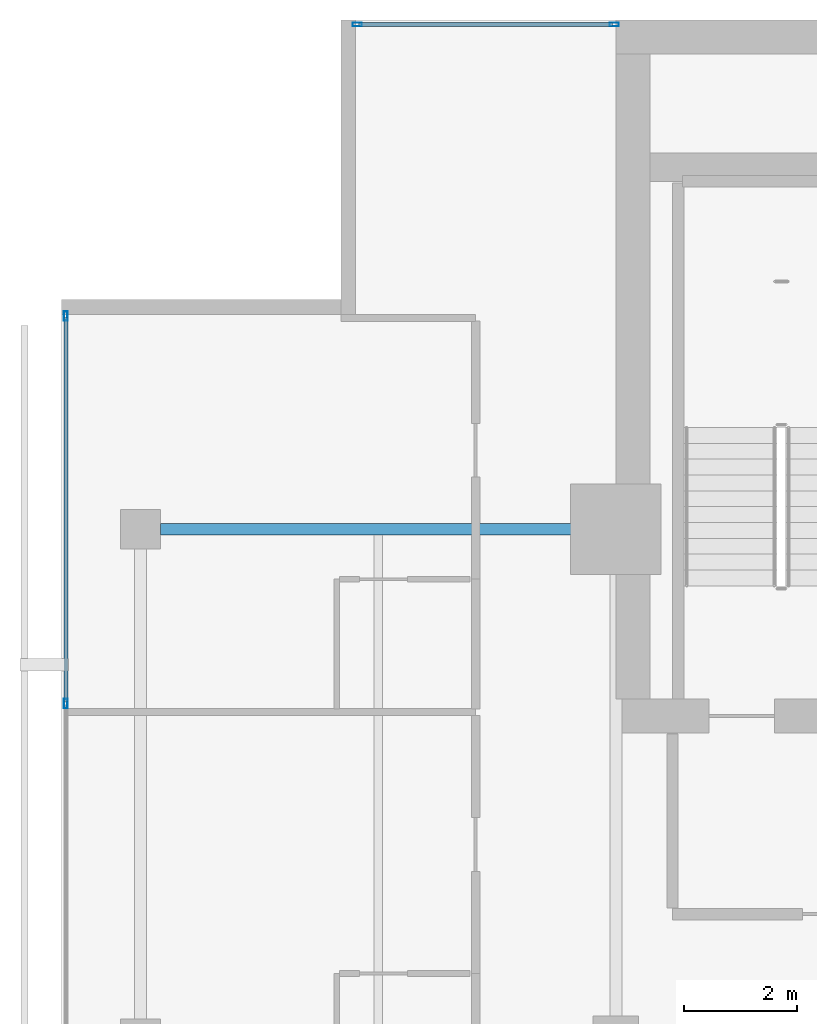
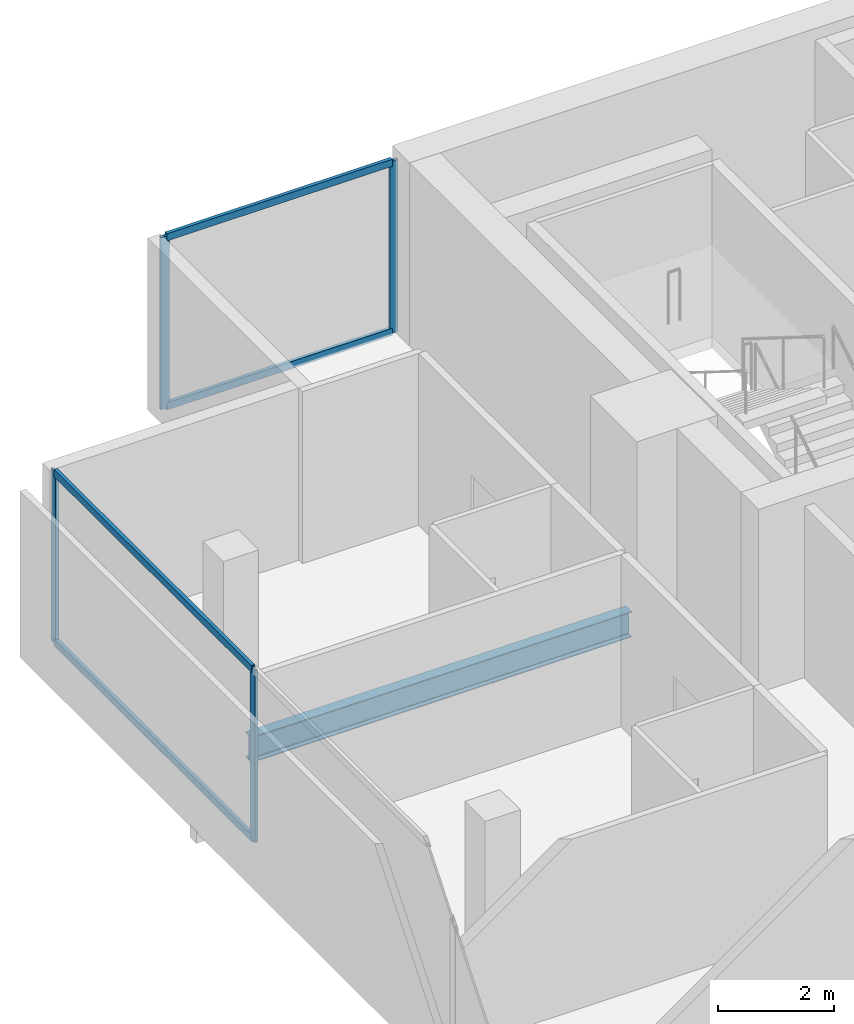
# One storey, part 16 of 26: 8 members, 1 beam, 2 elements without a shape of their own.
"""IFC4 building model written with IfcOpenShell, lengths in metres."""

from ifc_helpers import new_model, si_unit, direction, frame, origin, origin_2d, place, context, subcontext, project, spatial, hollow_rectangle, i_section, extrude, material, layer, layer_set, material_profile, profile_set, type_object, element, aggregate, save


model = new_model("IFC4")

# Units and contexts
model_context = context("Model", 3, precision=1e-05, world=origin(), true_north=direction((0.0, 1.0)))
body_context = subcontext(model_context, "Body", "Model", "MODEL_VIEW")
ifc_project = project(units=[si_unit("LENGTHUNIT", "METRE"), si_unit("AREAUNIT", "SQUARE_METRE"), si_unit("VOLUMEUNIT", "CUBIC_METRE"), si_unit("PLANEANGLEUNIT", "RADIAN"), si_unit("MASSUNIT", "GRAM", prefix="KILO")], contexts=[model_context])

# Site, building, storey
site_placement = place(None, origin())
site = spatial("IfcSite", under=ifc_project, at=site_placement, CompositionType="ELEMENT")
building_placement = place(site_placement, origin())
building = spatial("IfcBuilding", under=site, at=building_placement, Name="Maruvema Waterfront Hotel and Observation Tower", CompositionType="ELEMENT")
storey_placement = place(building_placement, frame((0.0, 0.0, 258.64990234375)))
storey = spatial("IfcBuildingStorey", under=building, at=storey_placement, Name="L63", CompositionType="ELEMENT", Elevation=258.64990234375)

# Curtain wall, members
ifc_material_1 = material(Name="Anodised bronze aluminium and solar-control low-E IGU", Category="aluminium")
ifc_layer = layer(ifc_material_1, 0.159912109375, Name="Zone 3 Champagne Inner Thermal Curtain Wall System CW-04")
ifc_layer_set = layer_set([ifc_layer], Name="Anodised bronze aluminium and solar-control low-E IGU")
curtain_wall_type = type_object("IfcCurtainWallType", Name="Zone 3 Champagne Inner Thermal Curtain Wall System CW-04", PredefinedType="USERDEFINED", material=ifc_layer_set)
curtain_wall_1_placement = place(storey_placement, origin())
curtain_wall_1 = element("IfcCurtainWall", 1, at=curtain_wall_1_placement, inside=storey, type_object=curtain_wall_type, Name="L63 Curtain Wall CW-L63-W", ObjectType="UNITISED CURTAIN WALL", PredefinedType="USERDEFINED")
ifc_material_2 = material(Name="Anodised architectural bronze aluminium", Category="aluminium")
ifc_material_profile_1 = material_profile(ifc_material_2, hollow_rectangle(XDim=0.070068359375, YDim=0.14990234375, WallThickness=0.00390625, at=origin_2d()), Name="ALU-T70x150")
ifc_profile_set_1 = profile_set([ifc_material_profile_1], Name="Anodised architectural bronze aluminium")
member_type_1 = type_object("IfcMemberType", Name="Curtain Wall Horizontal Transom ALU-T70x150", PredefinedType="USERDEFINED", material=ifc_profile_set_1)
member_1_placement = place(storey_placement, frame((15.47998046875, 48.739990234375, 0.030029296875), z_axis=(0.0, -1.0, 0.0), x_axis=(1.0, 0.0, 0.0)))
member_1 = element("IfcMember", 2, at=member_1_placement, type_object=member_type_1, Name="CW-04 transom 1.1", ObjectType="TRANSOM", PredefinedType="USERDEFINED", context=body_context, shape_type="SweptSolid", body=[
    extrude(hollow_rectangle(XDim=0.070068359375, YDim=0.14990234375, WallThickness=0.00390625, at=origin_2d()), origin(), (0.0, 0.0, 1.0), 6.7900390625),
])
member_2_placement = place(storey_placement, frame((15.47998046875, 48.739990234375, 3.580078125), z_axis=(0.0, -1.0, 0.0), x_axis=(1.0, 0.0, 0.0)))
member_2 = element("IfcMember", 3, at=member_2_placement, type_object=member_type_1, Name="CW-04 transom 1.2", ObjectType="TRANSOM", PredefinedType="USERDEFINED", context=body_context, shape_type="SweptSolid", body=[
    extrude(hollow_rectangle(XDim=0.070068359375, YDim=0.14990234375, WallThickness=0.00390625, at=origin_2d()), origin(), (0.0, 0.0, 1.0), 6.7900390625),
])

curtain_wall_2_placement = place(storey_placement, origin())
curtain_wall_2 = element("IfcCurtainWall", 4, at=curtain_wall_2_placement, inside=storey, type_object=curtain_wall_type, Name="L63 Curtain Wall CW-L63-NW", ObjectType="UNITISED CURTAIN WALL", PredefinedType="USERDEFINED")
member_3_placement = place(storey_placement, frame((25.139892578125, 53.919921875, 0.030029296875), z_axis=(-1.0, 0.0, 0.0), x_axis=(0.0, -1.0, 0.0)))
member_3 = element("IfcMember", 5, at=member_3_placement, type_object=member_type_1, Name="CW-04 transom 1.1", ObjectType="TRANSOM", PredefinedType="USERDEFINED", context=body_context, shape_type="SweptSolid", body=[
    extrude(hollow_rectangle(XDim=0.070068359375, YDim=0.14990234375, WallThickness=0.00390625, at=origin_2d()), origin(), (0.0, 0.0, 1.0), 4.47998046875),
])
member_4_placement = place(storey_placement, frame((25.139892578125, 53.919921875, 3.580078125), z_axis=(-1.0, 0.0, 0.0), x_axis=(0.0, -1.0, 0.0)))
member_4 = element("IfcMember", 6, at=member_4_placement, type_object=member_type_1, Name="CW-04 transom 1.2", ObjectType="TRANSOM", PredefinedType="USERDEFINED", context=body_context, shape_type="SweptSolid", body=[
    extrude(hollow_rectangle(XDim=0.070068359375, YDim=0.14990234375, WallThickness=0.00390625, at=origin_2d()), origin(), (0.0, 0.0, 1.0), 4.47998046875),
])

# Member
ifc_material_3 = material(Name="Anodised architectural bronze aluminium", Category="aluminium")
ifc_material_profile_2 = material_profile(ifc_material_3, hollow_rectangle(XDim=0.06494140625, YDim=0.1650390625, WallThickness=0.00390625, at=origin_2d()), Name="ALU-M65x165")
ifc_profile_set_2 = profile_set([ifc_material_profile_2], Name="Anodised architectural bronze aluminium")
member_type_2 = type_object("IfcMemberType", Name="Curtain Wall Primary Mullion ALU-M65x165", PredefinedType="MULLION", material=ifc_profile_set_2)
member_5_placement = place(storey_placement, frame((15.47998046875, 48.77001953125, 0.0), z_axis=(0.0, 0.0, 1.0), x_axis=(1.0, 0.0, 0.0)))
member_5 = element("IfcMember", 7, at=member_5_placement, type_object=member_type_2, Name="CW-04 mullion 1", PredefinedType="MULLION", context=body_context, shape_type="SweptSolid", body=[
    extrude(hollow_rectangle(XDim=0.06494140625, YDim=0.1650390625, WallThickness=0.00390625, at=origin_2d()), origin(), (0.0, 0.0, 1.0), 3.610107421875),
])

member_6_placement = place(storey_placement, frame((15.47998046875, 41.919921875, 0.0), z_axis=(0.0, 0.0, 1.0), x_axis=(1.0, 0.0, 0.0)))
member_6 = element("IfcMember", 8, at=member_6_placement, type_object=member_type_2, Name="CW-04 mullion 2", PredefinedType="MULLION", context=body_context, shape_type="SweptSolid", body=[
    extrude(hollow_rectangle(XDim=0.06494140625, YDim=0.1650390625, WallThickness=0.00390625, at=origin_2d()), origin(), (0.0, 0.0, 1.0), 3.610107421875),
])

aggregate(curtain_wall_1, [member_5, member_6, member_1, member_2])

member_7_placement = place(storey_placement, frame((25.169921875, 53.919921875, 0.0), z_axis=(0.0, 0.0, 1.0), x_axis=(0.0, -1.0, 0.0)))
member_7 = element("IfcMember", 9, at=member_7_placement, type_object=member_type_2, Name="CW-04 mullion 1", PredefinedType="MULLION", context=body_context, shape_type="SweptSolid", body=[
    extrude(hollow_rectangle(XDim=0.06494140625, YDim=0.1650390625, WallThickness=0.00390625, at=origin_2d()), origin(), (0.0, 0.0, 1.0), 3.610107421875),
])

member_8_placement = place(storey_placement, frame((20.6298828125, 53.919921875, 0.0), z_axis=(0.0, 0.0, 1.0), x_axis=(0.0, -1.0, 0.0)))
member_8 = element("IfcMember", 10, at=member_8_placement, type_object=member_type_2, Name="CW-04 mullion 2", PredefinedType="MULLION", context=body_context, shape_type="SweptSolid", body=[
    extrude(hollow_rectangle(XDim=0.06494140625, YDim=0.1650390625, WallThickness=0.00390625, at=origin_2d()), origin(), (0.0, 0.0, 1.0), 3.610107421875),
])

aggregate(curtain_wall_2, [member_7, member_8, member_3, member_4])

# Beam
ifc_material_4 = material(Name="Steel ASTM A572 Grade 50", Category="steel")
ifc_material_profile_3 = material_profile(ifc_material_4, i_section(OverallWidth=0.208984375, OverallDepth=0.532958984375, WebThickness=0.01025390625, FlangeThickness=0.015625, FilletRadius=0.014892578125, at=origin_2d()), Name="W530x92.0")
ifc_profile_set_3 = profile_set([ifc_material_profile_3], Name="Steel ASTM A572 Grade 50")
beam_type = type_object("IfcBeamType", Name="Primary Floor Girder W530x92.0", PredefinedType="BEAM", material=ifc_profile_set_3)
beam_placement = place(storey_placement, frame((17.14990234375, 45.0, -0.50634765625), z_axis=(1.0, 0.0, 0.0), x_axis=(0.0, 1.0, 0.0)))
element("IfcBeam", 11, at=beam_placement, inside=storey, type_object=beam_type, Name="L63 Floor Girder EW-17", PredefinedType="BEAM", context=body_context, shape_type="SweptSolid", body=[
    extrude(i_section(OverallWidth=0.208984375, OverallDepth=0.532958984375, WebThickness=0.01025390625, FlangeThickness=0.015625, FilletRadius=0.014892578125, at=origin_2d()), origin(), (0.0, 0.0, 1.0), 7.550048828125),
])

save(model, "model.ifc")
